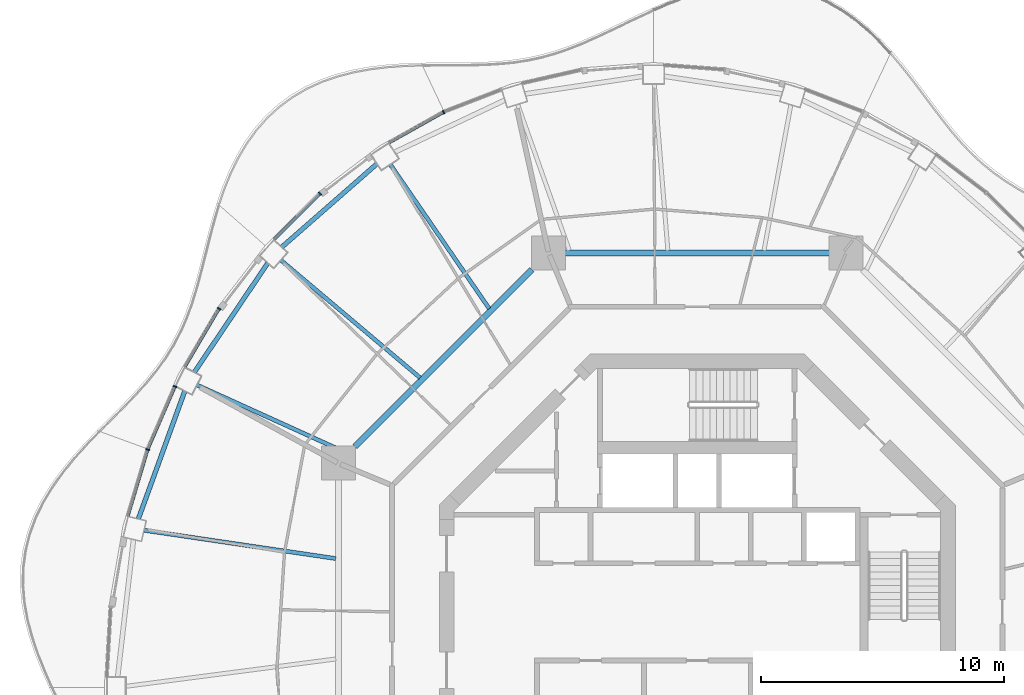
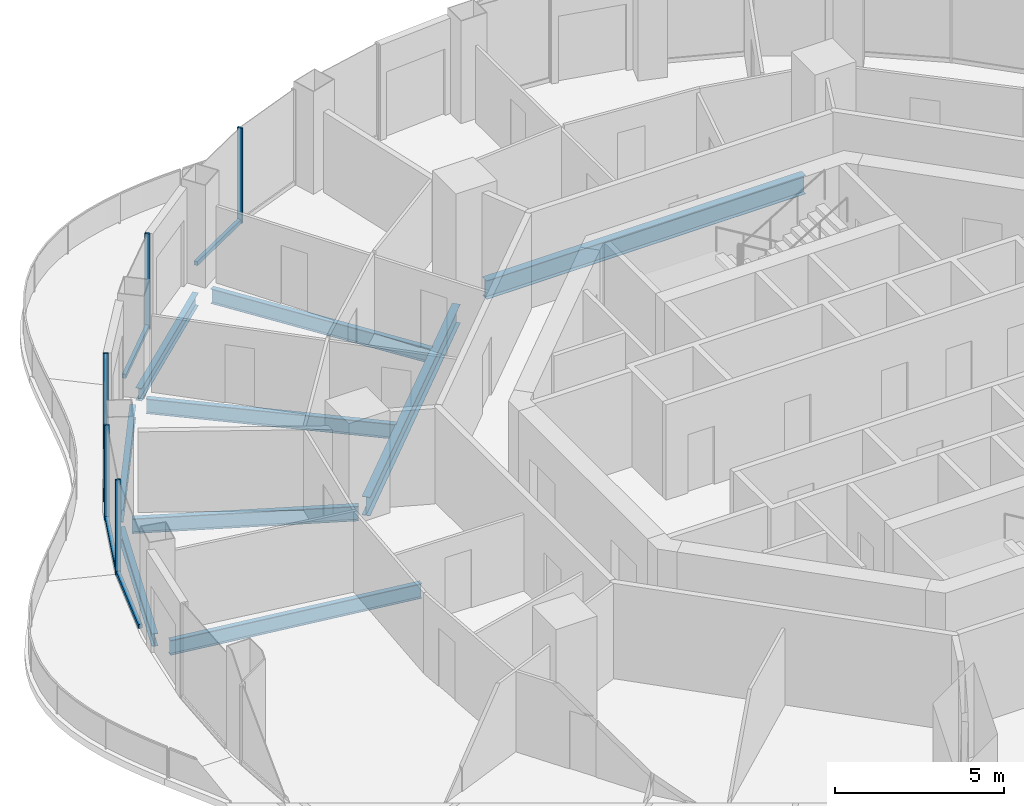
# One storey, part 5 of 17: 10 members, 9 beams, 5 elements without a shape of their own.
"""IFC4 building model written with IfcOpenShell, lengths in metres."""

from ifc_helpers import new_model, si_unit, direction, frame, origin, origin_2d, place, context, subcontext, project, spatial, rectangle, i_section, extrude, material, layer, layer_set, material_profile, profile_set, type_object, element, aggregate, save


model = new_model("IFC4")

# Units and contexts
model_context = context("Model", 3, precision=1e-05, world=origin(), true_north=direction((0.0, 1.0)))
body_context = subcontext(model_context, "Body", "Model", "MODEL_VIEW")
ifc_project = project(units=[si_unit("LENGTHUNIT", "METRE"), si_unit("AREAUNIT", "SQUARE_METRE"), si_unit("VOLUMEUNIT", "CUBIC_METRE"), si_unit("PLANEANGLEUNIT", "RADIAN"), si_unit("MASSUNIT", "GRAM", prefix="KILO")], contexts=[model_context])

# Site, building, storey
site_placement = place(None, origin())
site = spatial("IfcSite", under=ifc_project, at=site_placement, CompositionType="ELEMENT")
building_placement = place(site_placement, origin())
building = spatial("IfcBuilding", under=site, at=building_placement, Name="Nagisa Residences", CompositionType="ELEMENT")
storey_placement = place(building_placement, frame((0.0, 0.0, 269.60009765625)))
storey = spatial("IfcBuildingStorey", under=building, at=storey_placement, Name="L68", CompositionType="ELEMENT", Elevation=269.60009765625)

# Curtain wall, member
ifc_material_1 = material(Name="Concrete-coloured aluminium curtain wall system", Category="concrete")
ifc_layer = layer(ifc_material_1, 0.159912109375)
ifc_layer_set = layer_set([ifc_layer], Name="CW1 CURTAIN WALL")
curtain_wall_type = type_object("IfcCurtainWallType", Name="CW1 CURTAIN WALL", PredefinedType="NOTDEFINED", material=ifc_layer_set)
curtain_wall_1_placement = place(storey_placement, origin())
curtain_wall_1 = element("IfcCurtainWall", 1, at=curtain_wall_1_placement, inside=storey, type_object=curtain_wall_type, Name="cw:CW1:L68:15", PredefinedType="NOTDEFINED")
ifc_material_2 = material(Name="Concrete-coloured aluminium", Category="concrete")
ifc_material_profile_1 = material_profile(ifc_material_2, rectangle(XDim=0.159912109375, YDim=0.06005859375, at=origin_2d()), Name="CW1 MULLION 160x60")
ifc_profile_set_1 = profile_set([ifc_material_profile_1], Name="Concrete-coloured aluminium")
member_type_1 = type_object("IfcMemberType", Name="CW1 MULLION 160x60", PredefinedType="MULLION", material=ifc_profile_set_1)
member_1_placement = place(storey_placement, frame((-10.443359375, 20.57861328125, 0.0), z_axis=(0.0, 0.0, 1.0), x_axis=(0.489376918501, -0.872072377523, 0.0)))
member_1 = element("IfcMember", 2, at=member_1_placement, type_object=member_type_1, Name="CW1 mullion", PredefinedType="MULLION", context=body_context, shape_type="SweptSolid", body=[
    extrude(rectangle(XDim=0.159912109375, YDim=0.06005859375, at=origin_2d()), origin(), (0.0, 0.0, 1.0), 3.43994140625),
])

curtain_wall_2_placement = place(storey_placement, origin())
curtain_wall_2 = element("IfcCurtainWall", 3, at=curtain_wall_2_placement, inside=storey, type_object=curtain_wall_type, Name="cw:CW1:L68:17", PredefinedType="NOTDEFINED")
member_2_placement = place(storey_placement, frame((-15.534912109375, 17.225341796875, 0.0), z_axis=(0.0, 0.0, 1.0), x_axis=(0.706376885714, -0.707835924016, 0.0)))
member_2 = element("IfcMember", 4, at=member_2_placement, type_object=member_type_1, Name="CW1 mullion", PredefinedType="MULLION", context=body_context, shape_type="SweptSolid", body=[
    extrude(rectangle(XDim=0.159912109375, YDim=0.06005859375, at=origin_2d()), origin(), (0.0, 0.0, 1.0), 3.43994140625),
])

curtain_wall_3_placement = place(storey_placement, origin())
curtain_wall_3 = element("IfcCurtainWall", 5, at=curtain_wall_3_placement, inside=storey, type_object=curtain_wall_type, Name="cw:CW1:L68:19", PredefinedType="NOTDEFINED")
member_3_placement = place(storey_placement, frame((-19.69189453125, 12.4853515625, 0.0), z_axis=(0.0, 0.0, 1.0), x_axis=(0.862328898214, -0.506348567002, 0.0)))
member_3 = element("IfcMember", 6, at=member_3_placement, type_object=member_type_1, Name="CW1 mullion", PredefinedType="MULLION", context=body_context, shape_type="SweptSolid", body=[
    extrude(rectangle(XDim=0.159912109375, YDim=0.06005859375, at=origin_2d()), origin(), (0.0, 0.0, 1.0), 3.43994140625),
])

curtain_wall_4_placement = place(storey_placement, origin())
curtain_wall_4 = element("IfcCurtainWall", 7, at=curtain_wall_4_placement, inside=storey, type_object=curtain_wall_type, Name="cw:CW1:L68:20", PredefinedType="NOTDEFINED")
member_4_placement = place(storey_placement, frame((-21.5068359375, 9.280029296875, 0.0), z_axis=(0.0, 0.0, 1.0), x_axis=(0.917543276295, -0.397635934147, 0.0)))
member_4 = element("IfcMember", 8, at=member_4_placement, type_object=member_type_1, Name="CW1 mullion", PredefinedType="MULLION", context=body_context, shape_type="SweptSolid", body=[
    extrude(rectangle(XDim=0.159912109375, YDim=0.06005859375, at=origin_2d()), origin(), (0.0, 0.0, 1.0), 3.43994140625),
])

curtain_wall_5_placement = place(storey_placement, origin())
curtain_wall_5 = element("IfcCurtainWall", 9, at=curtain_wall_5_placement, inside=storey, type_object=curtain_wall_type, Name="cw:CW1:L68:21", PredefinedType="NOTDEFINED")
member_5_placement = place(storey_placement, frame((-22.630126953125, 6.680908203125, 0.0), z_axis=(0.0, 0.0, 1.0), x_axis=(0.958271310082, -0.285860274038, 0.0)))
member_5 = element("IfcMember", 10, at=member_5_placement, type_object=member_type_1, Name="CW1 mullion", PredefinedType="MULLION", context=body_context, shape_type="SweptSolid", body=[
    extrude(rectangle(XDim=0.159912109375, YDim=0.06005859375, at=origin_2d()), origin(), (0.0, 0.0, 1.0), 3.43994140625),
])

# Member
ifc_material_3 = material(Name="Concrete-coloured aluminium", Category="concrete")
ifc_material_profile_2 = material_profile(ifc_material_3, rectangle(XDim=0.1201171875, YDim=0.14990234375, at=origin_2d()), Name="CW1 TRANSOM 120x150")
ifc_profile_set_2 = profile_set([ifc_material_profile_2], Name="Concrete-coloured aluminium")
member_type_2 = type_object("IfcMemberType", Name="CW1 TRANSOM 120x150", PredefinedType="USERDEFINED", material=ifc_profile_set_2)
member_6_placement = place(storey_placement, frame((-10.417236328125, 20.59326171875, 0.074951171875), z_axis=(-0.872052877201, -0.489411666561, 0.0), x_axis=(0.489411666561, -0.872052877201, 0.0)))
member_6 = element("IfcMember", 11, at=member_6_placement, type_object=member_type_2, Name="CW1 transom", ObjectType="TRANSOM", PredefinedType="USERDEFINED", context=body_context, shape_type="SweptSolid", body=[
    extrude(rectangle(XDim=0.1201171875, YDim=0.14990234375, at=origin_2d()), origin(), (0.0, 0.0, 1.0), 2.593017578125),
])

aggregate(curtain_wall_1, [member_1, member_6])

member_7_placement = place(storey_placement, frame((-15.513671875, 17.24658203125, 0.074951171875), z_axis=(-0.707831739508, -0.706381078841, 0.0), x_axis=(0.706381078841, -0.707831739508, 0.0)))
member_7 = element("IfcMember", 12, at=member_7_placement, type_object=member_type_2, Name="CW1 transom", ObjectType="TRANSOM", PredefinedType="USERDEFINED", context=body_context, shape_type="SweptSolid", body=[
    extrude(rectangle(XDim=0.1201171875, YDim=0.14990234375, at=origin_2d()), origin(), (0.0, 0.0, 1.0), 2.692626953125),
])

aggregate(curtain_wall_2, [member_2, member_7])

member_8_placement = place(storey_placement, frame((-19.6767578125, 12.51123046875, 0.074951171875), z_axis=(-0.506371364425, -0.862315511452, 0.0), x_axis=(0.862315511452, -0.506371364425, 0.0)))
member_8 = element("IfcMember", 13, at=member_8_placement, type_object=member_type_2, Name="CW1 transom", ObjectType="TRANSOM", PredefinedType="USERDEFINED", context=body_context, shape_type="SweptSolid", body=[
    extrude(rectangle(XDim=0.1201171875, YDim=0.14990234375, at=origin_2d()), origin(), (0.0, 0.0, 1.0), 2.79638671875),
])

aggregate(curtain_wall_3, [member_3, member_8])

member_9_placement = place(storey_placement, frame((-21.4951171875, 9.3076171875, 0.074951171875), z_axis=(-0.397597791596, -0.9175598052, 0.0), x_axis=(0.9175598052, -0.397597791596, 0.0)))
member_9 = element("IfcMember", 14, at=member_9_placement, type_object=member_type_2, Name="CW1 transom", ObjectType="TRANSOM", PredefinedType="USERDEFINED", context=body_context, shape_type="SweptSolid", body=[
    extrude(rectangle(XDim=0.1201171875, YDim=0.14990234375, at=origin_2d()), origin(), (0.0, 0.0, 1.0), 2.841064453125),
])

aggregate(curtain_wall_4, [member_4, member_9])

member_10_placement = place(storey_placement, frame((-22.62158203125, 6.709716796875, 0.074951171875), z_axis=(-0.285798286059, -0.958289799427, 0.0), x_axis=(0.958289799427, -0.285798286059, 0.0)))
member_10 = element("IfcMember", 15, at=member_10_placement, type_object=member_type_2, Name="CW1 transom", ObjectType="TRANSOM", PredefinedType="USERDEFINED", context=body_context, shape_type="SweptSolid", body=[
    extrude(rectangle(XDim=0.1201171875, YDim=0.14990234375, at=origin_2d()), origin(), (0.0, 0.0, 1.0), 2.877197265625),
])

aggregate(curtain_wall_5, [member_5, member_10])

# Beams
ifc_material_4 = material(Name="Steel ASTM A572 Gr 50", Category="steel")
ifc_material_profile_3 = material_profile(ifc_material_4, i_section(OverallWidth=0.2529296875, OverallDepth=0.677978515625, WebThickness=0.01171875, FlangeThickness=0.016357421875, at=origin_2d()), Name="W690x125")
ifc_profile_set_3 = profile_set([ifc_material_profile_3], Name="Steel ASTM A572 Gr 50")
beam_type_1 = type_object("IfcBeamType", Name="Inner ring beam W690x125", PredefinedType="BEAM", material=ifc_profile_set_3)
beam_1_placement = place(storey_placement, frame((5.44287109375, 14.781982421875, -0.59912109375), z_axis=(-1.0, 0.0, 0.0), x_axis=(0.0, -1.0, 0.0)))
element("IfcBeam", 16, at=beam_1_placement, inside=storey, type_object=beam_type_1, Name="beam:L68:ib2", PredefinedType="BEAM", context=body_context, shape_type="SweptSolid", body=[
    extrude(i_section(OverallWidth=0.2529296875, OverallDepth=0.677978515625, WebThickness=0.01171875, FlangeThickness=0.016357421875, at=origin_2d()), origin(), (0.0, 0.0, 1.0), 10.8857421875),
])
beam_2_placement = place(storey_placement, frame((-6.808837890625, 14.09619140625, -0.59912109375), z_axis=(-0.707106781187, -0.707106781187, 0.0), x_axis=(0.707106781187, -0.707106781187, 0.0)))
element("IfcBeam", 17, at=beam_2_placement, inside=storey, type_object=beam_type_1, Name="beam:L68:ib3", PredefinedType="BEAM", context=body_context, shape_type="SweptSolid", body=[
    extrude(i_section(OverallWidth=0.2529296875, OverallDepth=0.677978515625, WebThickness=0.01171875, FlangeThickness=0.016357421875, at=origin_2d()), origin(), (0.0, 0.0, 1.0), 10.305908203125),
])
ifc_material_5 = material(Name="Steel ASTM A572 Gr 50", Category="steel")
ifc_material_profile_4 = material_profile(ifc_material_5, i_section(OverallWidth=0.18994140625, OverallDepth=0.45703125, WebThickness=0.009033203125, FlangeThickness=0.014404296875, at=origin_2d()), Name="W460x74")
ifc_profile_set_4 = profile_set([ifc_material_profile_4], Name="Steel ASTM A572 Gr 50")
beam_type_2 = type_object("IfcBeamType", Name="Perimeter ring beam W460x74", PredefinedType="BEAM", material=ifc_profile_set_4)
beam_3_placement = place(storey_placement, frame((-13.186767578125, 18.45458984375, -0.488525390625), z_axis=(-0.752365189148, -0.658746250204, 0.0), x_axis=(0.658746250204, -0.752365189148, 0.0)))
element("IfcBeam", 18, at=beam_3_placement, inside=storey, type_object=beam_type_2, Name="beam:L68:pb09", PredefinedType="BEAM", context=body_context, shape_type="SweptSolid", body=[
    extrude(i_section(OverallWidth=0.18994140625, OverallDepth=0.45703125, WebThickness=0.009033203125, FlangeThickness=0.014404296875, at=origin_2d()), origin(), (0.0, 0.0, 1.0), 5.220947265625),
])
beam_4_placement = place(storey_placement, frame((-17.683349609375, 14.36962890625, -0.488525390625), z_axis=(-0.558035477156, -0.829817092036, 0.0), x_axis=(0.829817092036, -0.558035477156, 0.0)))
element("IfcBeam", 19, at=beam_4_placement, inside=storey, type_object=beam_type_2, Name="beam:L68:pb10", PredefinedType="BEAM", context=body_context, shape_type="SweptSolid", body=[
    extrude(i_section(OverallWidth=0.18994140625, OverallDepth=0.45703125, WebThickness=0.009033203125, FlangeThickness=0.014404296875, at=origin_2d()), origin(), (0.0, 0.0, 1.0), 5.431884765625),
])
beam_5_placement = place(storey_placement, frame((-21.104248046875, 9.094970703125, -0.488525390625), z_axis=(-0.341250304478, -0.9399724622, 0.0), x_axis=(0.9399724622, -0.341250304478, 0.0)))
element("IfcBeam", 20, at=beam_5_placement, inside=storey, type_object=beam_type_2, Name="beam:L68:pb11", PredefinedType="BEAM", context=body_context, shape_type="SweptSolid", body=[
    extrude(i_section(OverallWidth=0.18994140625, OverallDepth=0.45703125, WebThickness=0.009033203125, FlangeThickness=0.014404296875, at=origin_2d()), origin(), (0.0, 0.0, 1.0), 5.609619140625),
])
ifc_material_6 = material(Name="Steel ASTM A572 Gr 50", Category="steel")
ifc_material_profile_5 = material_profile(ifc_material_6, i_section(OverallWidth=0.166015625, OverallDepth=0.534912109375, WebThickness=0.01025390625, FlangeThickness=0.0166015625, at=origin_2d()), Name="W530x85")
ifc_profile_set_5 = profile_set([ifc_material_profile_5], Name="Steel ASTM A572 Gr 50")
beam_type_3 = type_object("IfcBeamType", Name="Radial beam W530x85", PredefinedType="BEAM", material=ifc_profile_set_5)
beam_6_placement = place(storey_placement, frame((-12.64501953125, 18.427490234375, -0.527587890625), z_axis=(0.565802292405, -0.824540942531, 0.0), x_axis=(0.824540942531, 0.565802292405, 0.0)))
element("IfcBeam", 21, at=beam_6_placement, inside=storey, type_object=beam_type_3, Name="beam:L68:rb09", PredefinedType="BEAM", context=body_context, shape_type="SweptSolid", body=[
    extrude(i_section(OverallWidth=0.166015625, OverallDepth=0.534912109375, WebThickness=0.01025390625, FlangeThickness=0.0166015625, at=origin_2d()), origin(), (0.0, 0.0, 1.0), 7.204345703125),
])
beam_7_placement = place(storey_placement, frame((-17.15087890625, 14.484375, -0.527587890625), z_axis=(0.764006403763, -0.645208660054, 0.0), x_axis=(0.645208660054, 0.764006403763, 0.0)))
element("IfcBeam", 22, at=beam_7_placement, inside=storey, type_object=beam_type_3, Name="beam:L68:rb10", PredefinedType="BEAM", context=body_context, shape_type="SweptSolid", body=[
    extrude(i_section(OverallWidth=0.166015625, OverallDepth=0.534912109375, WebThickness=0.01025390625, FlangeThickness=0.0166015625, at=origin_2d()), origin(), (0.0, 0.0, 1.0), 7.50732421875),
])
beam_8_placement = place(storey_placement, frame((-20.610107421875, 9.34521484375, -0.527587890625), z_axis=(0.910751667619, -0.412954476824, 0.0), x_axis=(0.412954476824, 0.910751667619, 0.0)))
element("IfcBeam", 23, at=beam_8_placement, inside=storey, type_object=beam_type_3, Name="beam:L68:rb11", PredefinedType="BEAM", context=body_context, shape_type="SweptSolid", body=[
    extrude(i_section(OverallWidth=0.166015625, OverallDepth=0.534912109375, WebThickness=0.01025390625, FlangeThickness=0.0166015625, at=origin_2d()), origin(), (0.0, 0.0, 1.0), 6.721923828125),
])
beam_9_placement = place(storey_placement, frame((-22.788818359375, 3.359375, -0.527587890625), z_axis=(0.989309244243, -0.145832846968, 0.0), x_axis=(0.145832846968, 0.989309244243, 0.0)))
element("IfcBeam", 24, at=beam_9_placement, inside=storey, type_object=beam_type_3, Name="beam:L68:rb12", PredefinedType="BEAM", context=body_context, shape_type="SweptSolid", body=[
    extrude(i_section(OverallWidth=0.166015625, OverallDepth=0.534912109375, WebThickness=0.01025390625, FlangeThickness=0.0166015625, at=origin_2d()), origin(), (0.0, 0.0, 1.0), 7.985595703125),
])

save(model, "model.ifc")
